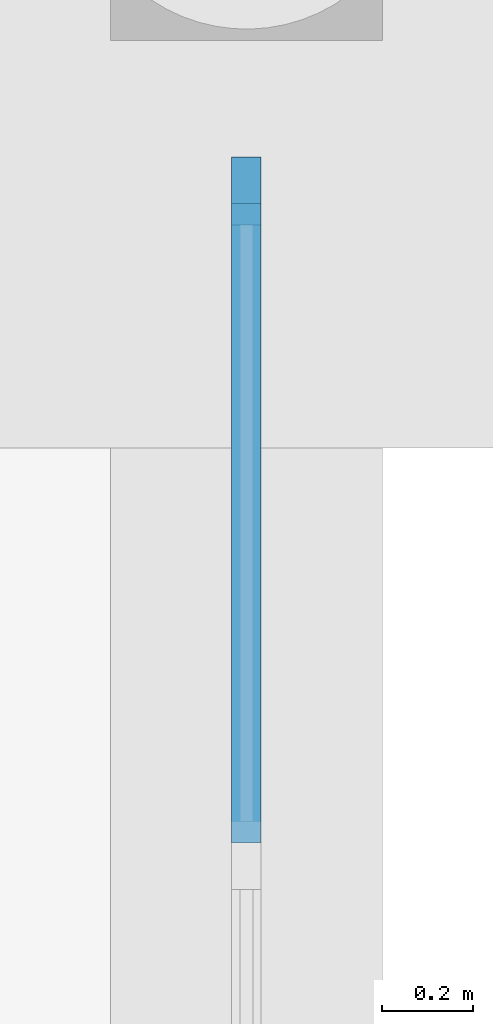
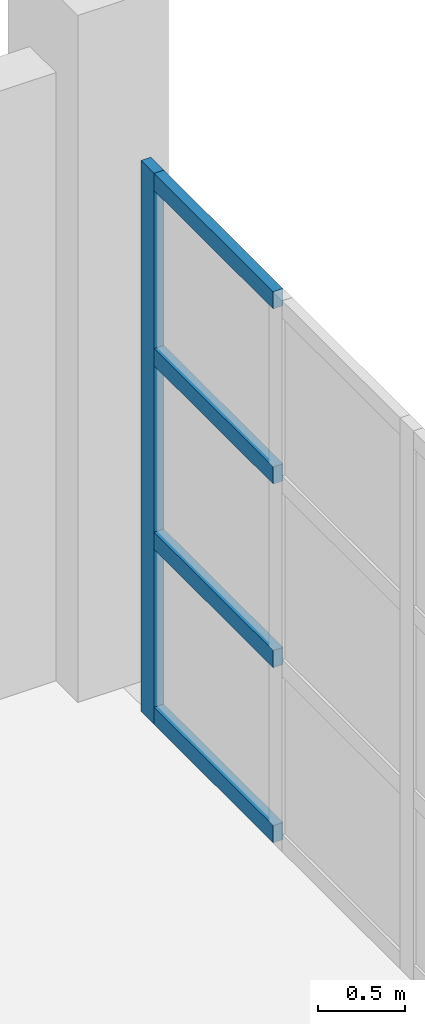
# One storey, part 127 of 285: 5 members, 1 element without a shape of its own.
"""IFC4 building model written with IfcOpenShell, lengths in metres."""

from ifc_helpers import new_model, si_unit, direction, frame, origin, origin_2d, place, context, subcontext, project, spatial, rectangle, extrude, material, material_profile, profile_set, type_object, element, aggregate, save


model = new_model("IFC4")

# Units and contexts
model_context = context("Model", 3, precision=1e-05, world=origin(), true_north=direction((0.0, 1.0)))
body_context = subcontext(model_context, "Body", "Model", "MODEL_VIEW")
ifc_project = project(units=[si_unit("LENGTHUNIT", "METRE"), si_unit("AREAUNIT", "SQUARE_METRE"), si_unit("VOLUMEUNIT", "CUBIC_METRE"), si_unit("PLANEANGLEUNIT", "RADIAN"), si_unit("MASSUNIT", "GRAM", prefix="KILO")], contexts=[model_context])

# Site, building, storey
site_placement = place(None, origin())
site = spatial("IfcSite", under=ifc_project, at=site_placement, CompositionType="ELEMENT")
building_placement = place(site_placement, origin())
building = spatial("IfcBuilding", under=site, at=building_placement, Name="Solanera Park Tramway Depot", CompositionType="ELEMENT")
storey_placement = place(building_placement, origin())
storey = spatial("IfcBuildingStorey", under=building, at=storey_placement, Name="L00", CompositionType="ELEMENT", Elevation=0.0)

# Curtain wall, members
ifc_material_1 = material(Name="Bronze-anodised thermally broken aluminium curtain wall", Category="aluminium")
curtain_wall_type = type_object("IfcCurtainWallType", Name="Parkfront Loggia Curtain Wall", PredefinedType="NOTDEFINED", material=ifc_material_1)
curtain_wall_placement = place(storey_placement, origin())
curtain_wall = element("IfcCurtainWall", 1, at=curtain_wall_placement, inside=storey, type_object=curtain_wall_type, Name="L00 Parkfront Loggia Curtain Wall #132", PredefinedType="NOTDEFINED")
ifc_material_2 = material(Name="Bronze-anodised structural aluminium 6063-T6", Category="aluminium")
ifc_material_profile_1 = material_profile(ifc_material_2, rectangle(XDim=0.06494140625, YDim=0.14990234375, at=origin_2d()), Name="Curtain Wall Mullion 65x150")
ifc_profile_set_1 = profile_set([ifc_material_profile_1], Name="Bronze-anodised structural aluminium 6063-T6")
member_type_1 = type_object("IfcMemberType", Name="Curtain Wall Mullion 65x150", PredefinedType="MULLION", material=ifc_profile_set_1)
member_1_placement = place(storey_placement, frame((216.0, 64.0673828125, 0.0), z_axis=(0.0, 0.0, 1.0), x_axis=(1.0, 0.0, 0.0)))
member_1 = element("IfcMember", 2, at=member_1_placement, type_object=member_type_1, Name="CW-L00-132 Mullion 5", PredefinedType="MULLION", context=body_context, shape_type="SweptSolid", body=[
    extrude(rectangle(XDim=0.06494140625, YDim=0.14990234375, at=origin_2d()), origin(), (0.0, 0.0, 1.0), 3.85009765625),
])
ifc_material_3 = material(Name="Bronze-anodised structural aluminium 6063-T6", Category="aluminium")
ifc_material_profile_2 = material_profile(ifc_material_3, rectangle(XDim=0.06494140625, YDim=0.1201171875, at=origin_2d()), Name="Curtain Wall Transom 65x120")
ifc_profile_set_2 = profile_set([ifc_material_profile_2], Name="Bronze-anodised structural aluminium 6063-T6")
member_type_2 = type_object("IfcMemberType", Name="Curtain Wall Transom 65x120", PredefinedType="USERDEFINED", material=ifc_profile_set_2)
member_2_placement = place(storey_placement, frame((216.0, 62.6279296875, 0.06005859375), z_axis=(0.0, 1.0, 0.0), x_axis=(-1.0, 0.0, 0.0)))
member_2 = element("IfcMember", 3, at=member_2_placement, type_object=member_type_2, Name="CW-L00-132 Transom R1.C4", ObjectType="TRANSOM", PredefinedType="USERDEFINED", context=body_context, shape_type="SweptSolid", body=[
    extrude(rectangle(XDim=0.06494140625, YDim=0.1201171875, at=origin_2d()), origin(), (0.0, 0.0, 1.0), 1.41162109375),
])
member_3_placement = place(storey_placement, frame((216.0, 62.6279296875, 1.283203125), z_axis=(0.0, 1.0, 0.0), x_axis=(-1.0, 0.0, 0.0)))
member_3 = element("IfcMember", 4, at=member_3_placement, type_object=member_type_2, Name="CW-L00-132 Transom R2.C4", ObjectType="TRANSOM", PredefinedType="USERDEFINED", context=body_context, shape_type="SweptSolid", body=[
    extrude(rectangle(XDim=0.06494140625, YDim=0.1201171875, at=origin_2d()), origin(), (0.0, 0.0, 1.0), 1.41162109375),
])
member_4_placement = place(storey_placement, frame((216.0, 62.6279296875, 2.566650390625), z_axis=(0.0, 1.0, 0.0), x_axis=(-1.0, 0.0, 0.0)))
member_4 = element("IfcMember", 5, at=member_4_placement, type_object=member_type_2, Name="CW-L00-132 Transom R3.C4", ObjectType="TRANSOM", PredefinedType="USERDEFINED", context=body_context, shape_type="SweptSolid", body=[
    extrude(rectangle(XDim=0.06494140625, YDim=0.1201171875, at=origin_2d()), origin(), (0.0, 0.0, 1.0), 1.41162109375),
])
member_5_placement = place(storey_placement, frame((216.0, 62.6279296875, 3.7900390625), z_axis=(0.0, 1.0, 0.0), x_axis=(-1.0, 0.0, 0.0)))
member_5 = element("IfcMember", 6, at=member_5_placement, type_object=member_type_2, Name="CW-L00-132 Transom R4.C4", ObjectType="TRANSOM", PredefinedType="USERDEFINED", context=body_context, shape_type="SweptSolid", body=[
    extrude(rectangle(XDim=0.06494140625, YDim=0.1201171875, at=origin_2d()), origin(), (0.0, 0.0, 1.0), 1.41162109375),
])
aggregate(curtain_wall, [member_1, member_2, member_3, member_4, member_5])

save(model, "model.ifc")
